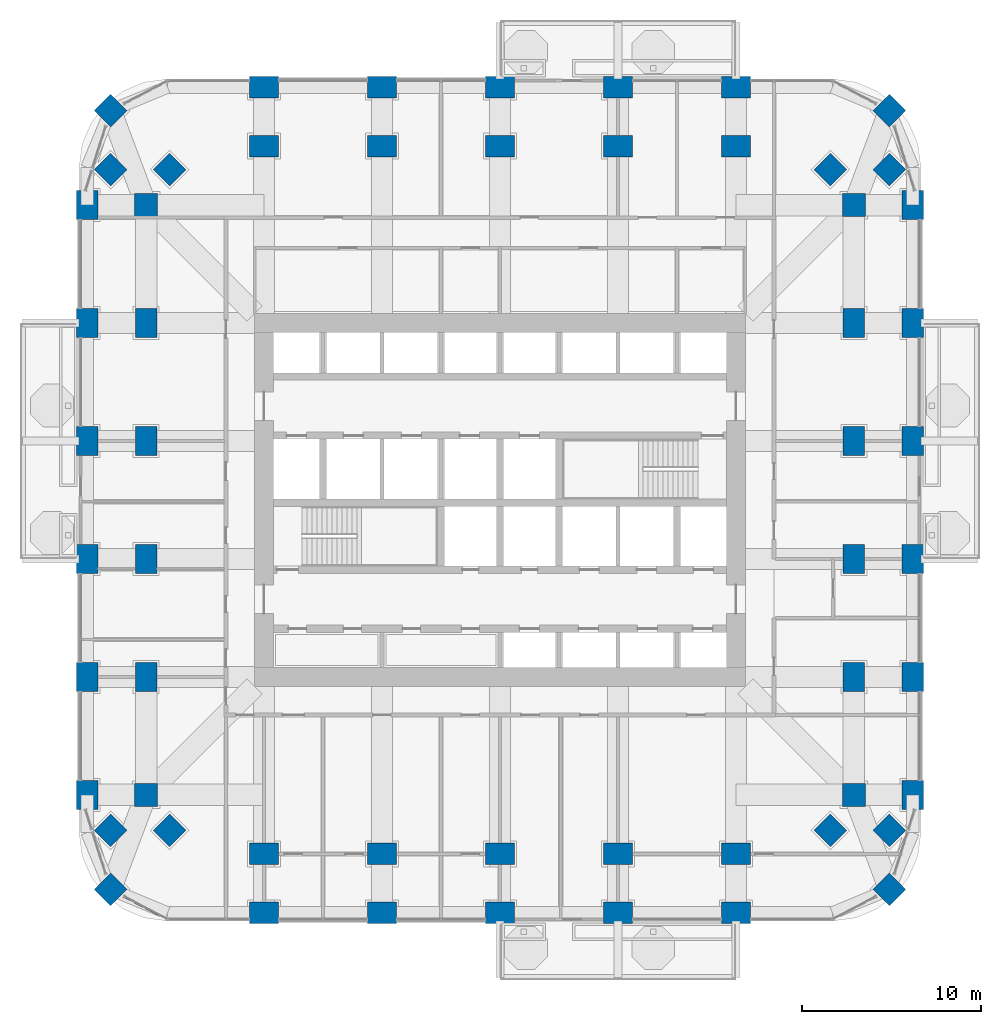
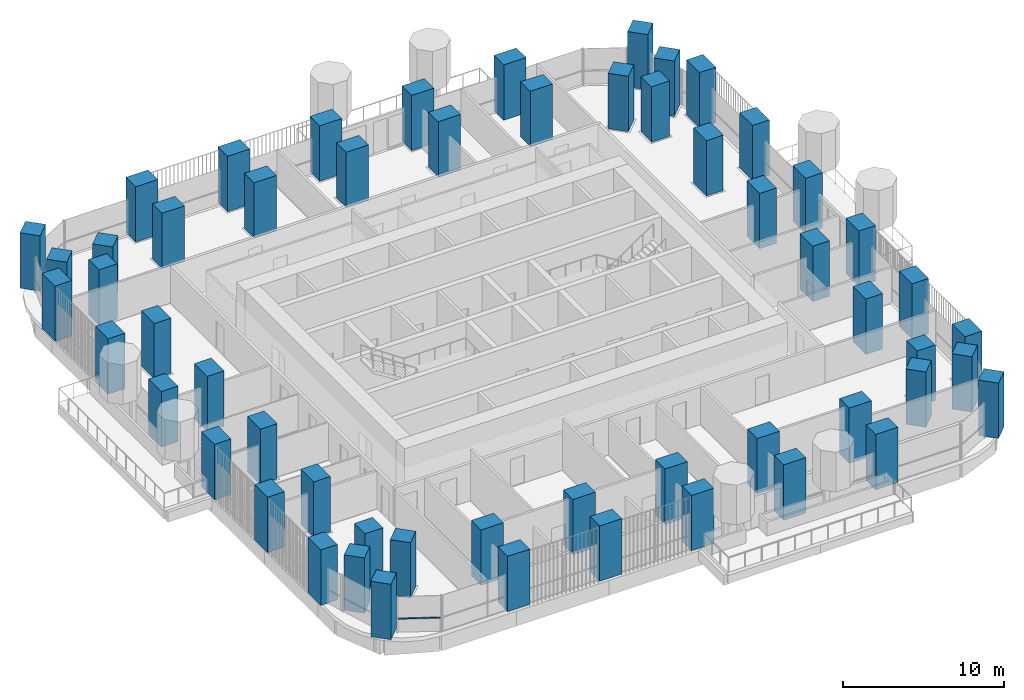
# One storey, part 1 of 22: 56 columns, 1 member, 1 element without a shape of its own.
"""IFC4 building model written with IfcOpenShell, lengths in metres."""

from ifc_helpers import new_model, si_unit, direction, frame, origin, origin_2d, place, context, subcontext, project, spatial, rectangle, extrude, material, material_profile, profile_set, type_object, element, aggregate, save


model = new_model("IFC4")

# Units and contexts
model_context = context("Model", 3, precision=1e-05, world=origin(), true_north=direction((0.0, 1.0)))
body_context = subcontext(model_context, "Body", "Model", "MODEL_VIEW")
ifc_project = project(units=[si_unit("LENGTHUNIT", "METRE"), si_unit("AREAUNIT", "SQUARE_METRE"), si_unit("VOLUMEUNIT", "CUBIC_METRE"), si_unit("PLANEANGLEUNIT", "RADIAN"), si_unit("MASSUNIT", "GRAM", prefix="KILO")], contexts=[model_context])

# Site, building, storey
site_placement = place(None, origin())
site = spatial("IfcSite", under=ifc_project, at=site_placement, CompositionType="ELEMENT")
building_placement = place(site_placement, origin())
building = spatial("IfcBuilding", under=site, at=building_placement, Name="Cobogo Forest Laboratory Tower", CompositionType="ELEMENT")
storey_placement = place(building_placement, frame((0.0, 0.0, 94.800048828125)))
storey = spatial("IfcBuildingStorey", under=building, at=storey_placement, Name="L21", CompositionType="ELEMENT", Elevation=94.800048828125)

# Columns
ifc_material_1 = material(Name="Concrete HA-50 (C50/60)", Category="concrete")
ifc_material_profile_1 = material_profile(ifc_material_1, rectangle(XDim=1.60009765625, YDim=1.199951171875, at=origin_2d()), Name="RC 1200x1600")
ifc_profile_set_1 = profile_set([ifc_material_profile_1], Name="Concrete HA-50 (C50/60)")
column_type_1 = type_object("IfcColumnType", Name="Blade column 1200x1600", PredefinedType="COLUMN", material=ifc_profile_set_1)
for number, where, z_axis, x_axis, name in (
    (1, (13.199951171875, 0.0, 0.0), (0.0, 0.0, 1.0), (1.0, 0.0, 0.0), "Column 3-A L21"),
    (2, (19.800048828125, 0.0, 0.0), (0.0, 0.0, 1.0), (1.0, 0.0, 0.0), "Column 4-A L21"),
    (3, (26.39990234375, 0.0, 0.0), (0.0, 0.0, 1.0), (1.0, 0.0, 0.0), "Column 5-A L21"),
    (4, (33.0, 0.0, 0.0), (0.0, 0.0, 1.0), (1.0, 0.0, 0.0), "Column 6-A L21"),
    (5, (39.60009765625, 0.0, 0.0), (0.0, 0.0, 1.0), (1.0, 0.0, 0.0), "Column 7-A L21"),
    (6, (3.300048828125, 6.60009765625, 0.0), (0.0, 0.0, 1.0), (0.0, 1.0, 0.0), "Column 1.1-B L21"),
    (7, (49.5, 6.60009765625, 0.0), (0.0, 0.0, 1.0), (0.0, 1.0, 0.0), "Column 8.1-B L21"),
    (8, (3.300048828125, 13.199951171875, 0.0), (0.0, 0.0, 1.0), (0.0, 1.0, 0.0), "Column 1.1-C L21"),
    (9, (49.5, 13.199951171875, 0.0), (0.0, 0.0, 1.0), (0.0, 1.0, 0.0), "Column 8.1-C L21"),
    (10, (3.300048828125, 19.800048828125, 0.0), (0.0, 0.0, 1.0), (0.0, 1.0, 0.0), "Column 1.1-D L21"),
    (11, (49.5, 19.800048828125, 0.0), (0.0, 0.0, 1.0), (0.0, 1.0, 0.0), "Column 8.1-D L21"),
    (12, (3.300048828125, 26.39990234375, 0.0), (0.0, 0.0, 1.0), (0.0, 1.0, 0.0), "Column 1.1-E L21"),
    (13, (49.5, 26.39990234375, 0.0), (0.0, 0.0, 1.0), (0.0, 1.0, 0.0), "Column 8.1-E L21"),
    (14, (3.300048828125, 33.0, 0.0), (0.0, 0.0, 1.0), (0.0, 1.0, 0.0), "Column 1.1-F L21"),
    (15, (49.5, 33.0, 0.0), (0.0, 0.0, 1.0), (0.0, 1.0, 0.0), "Column 8.1-F L21"),
    (16, (3.300048828125, 39.60009765625, 0.0), (0.0, 0.0, 1.0), (0.0, 1.0, 0.0), "Column 1.1-G L21"),
    (17, (49.5, 39.60009765625, 0.0), (0.0, 0.0, 1.0), (0.0, 1.0, 0.0), "Column 8.1-G L21"),
    (18, (13.199951171875, 46.199951171875, 0.0), (0.0, 0.0, 1.0), (1.0, 0.0, 0.0), "Column 3-H L21"),
    (19, (19.800048828125, 46.199951171875, 0.0), (0.0, 0.0, 1.0), (1.0, 0.0, 0.0), "Column 4-H L21"),
    (20, (26.39990234375, 46.199951171875, 0.0), (0.0, 0.0, 1.0), (1.0, 0.0, 0.0), "Column 5-H L21"),
    (21, (33.0, 46.199951171875, 0.0), (0.0, 0.0, 1.0), (1.0, 0.0, 0.0), "Column 6-H L21"),
    (22, (39.60009765625, 46.199951171875, 0.0), (0.0, 0.0, 1.0), (1.0, 0.0, 0.0), "Column 7-H L21"),
    (23, (13.199951171875, 3.300048828125, 0.0), (0.0, 0.0, 1.0), (1.0, 0.0, 0.0), "Column 3-A.1-C L21"),
    (24, (19.800048828125, 3.300048828125, 0.0), (0.0, 0.0, 1.0), (1.0, 0.0, 0.0), "Column 4-A.1-C L21"),
    (25, (26.39990234375, 3.300048828125, 0.0), (0.0, 0.0, 1.0), (1.0, 0.0, 0.0), "Column 5-A.1-C L21"),
    (26, (33.0, 3.300048828125, 0.0), (0.0, 0.0, 1.0), (1.0, 0.0, 0.0), "Column 6-A.1-C L21"),
    (27, (39.60009765625, 3.300048828125, 0.0), (0.0, 0.0, 1.0), (1.0, 0.0, 0.0), "Column 7-A.1-C L21"),
    (28, (13.199951171875, 42.89990234375, 0.0), (0.0, 0.0, 1.0), (1.0, 0.0, 0.0), "Column 3-G.1-C L21"),
    (29, (19.800048828125, 42.89990234375, 0.0), (0.0, 0.0, 1.0), (1.0, 0.0, 0.0), "Column 4-G.1-C L21"),
    (30, (26.39990234375, 42.89990234375, 0.0), (0.0, 0.0, 1.0), (1.0, 0.0, 0.0), "Column 5-G.1-C L21"),
    (31, (33.0, 42.89990234375, 0.0), (0.0, 0.0, 1.0), (1.0, 0.0, 0.0), "Column 6-G.1-C L21"),
    (32, (39.60009765625, 42.89990234375, 0.0), (0.0, 0.0, 1.0), (1.0, 0.0, 0.0), "Column 7-G.1-C L21"),
    (33, (6.60009765625, 13.199951171875, 0.0), (0.0, 0.0, 1.0), (0.0, 1.0, 0.0), "Column 2-C-D L21"),
    (34, (46.199951171875, 13.199951171875, 0.0), (0.0, 0.0, 1.0), (0.0, 1.0, 0.0), "Column 8-C-D L21"),
    (35, (6.60009765625, 19.800048828125, 0.0), (0.0, 0.0, 1.0), (0.0, 1.0, 0.0), "Column 2-D-D L21"),
    (36, (46.199951171875, 19.800048828125, 0.0), (0.0, 0.0, 1.0), (0.0, 1.0, 0.0), "Column 8-D-D L21"),
    (37, (6.60009765625, 26.39990234375, 0.0), (0.0, 0.0, 1.0), (0.0, 1.0, 0.0), "Column 2-E-D L21"),
    (38, (46.199951171875, 26.39990234375, 0.0), (0.0, 0.0, 1.0), (0.0, 1.0, 0.0), "Column 8-E-D L21"),
    (39, (6.60009765625, 33.0, 0.0), (0.0, 0.0, 1.0), (0.0, 1.0, 0.0), "Column 2-F-D L21"),
    (40, (46.199951171875, 33.0, 0.0), (0.0, 0.0, 1.0), (0.0, 1.0, 0.0), "Column 8-F-D L21"),
):
    element("IfcColumn", number, at=place(storey_placement, frame(where, z_axis=z_axis, x_axis=x_axis)), inside=storey, type_object=column_type_1, Name=name, PredefinedType="COLUMN", context=body_context, shape_type="SweptSolid", body=[
        extrude(rectangle(XDim=1.60009765625, YDim=1.199951171875, at=origin_2d()), origin(), (0.0, 0.0, 1.0), 4.199951171875),
    ])
ifc_material_profile_2 = material_profile(ifc_material_1, rectangle(XDim=1.300048828125, YDim=1.300048828125, at=origin_2d()), Name="RC 1300x1300")
ifc_profile_set_2 = profile_set([ifc_material_profile_2], Name="Concrete HA-50 (C50/60)")
column_type_2 = type_object("IfcColumnType", Name="Column 1300x1300", PredefinedType="COLUMN", material=ifc_profile_set_2)
for number, where, z_axis, x_axis, name in (
    (41, (4.617919921875, 1.318115234375, 0.0), (0.0, 0.0, 1.0), (0.707106781187, 0.707106781187, 0.0), "Column CNR-SW L21"),
    (42, (48.181884765625, 1.318115234375, 0.0), (0.0, 0.0, 1.0), (0.707106781187, 0.707106781187, 0.0), "Column CNR-SE L21"),
    (43, (4.617919921875, 44.882080078125, 0.0), (0.0, 0.0, 1.0), (0.707106781187, 0.707106781187, 0.0), "Column CNR-NW L21"),
    (44, (48.181884765625, 44.882080078125, 0.0), (0.0, 0.0, 1.0), (0.707106781187, 0.707106781187, 0.0), "Column CNR-NE L21"),
    (45, (6.60009765625, 6.60009765625, 0.0), (0.0, 0.0, 1.0), (1.0, 0.0, 0.0), "Column 2-B L21"),
    (46, (46.199951171875, 6.60009765625, 0.0), (0.0, 0.0, 1.0), (1.0, 0.0, 0.0), "Column 8-B L21"),
    (47, (6.60009765625, 39.60009765625, 0.0), (0.0, 0.0, 1.0), (1.0, 0.0, 0.0), "Column 2-G L21"),
    (48, (46.199951171875, 39.60009765625, 0.0), (0.0, 0.0, 1.0), (1.0, 0.0, 0.0), "Column 8-G L21"),
    (49, (4.617919921875, 4.617919921875, 0.0), (0.0, 0.0, 1.0), (0.707106781187, 0.707106781187, 0.0), "Column CNR-SW-C L21"),
    (50, (48.181884765625, 4.617919921875, 0.0), (0.0, 0.0, 1.0), (0.707106781187, 0.707106781187, 0.0), "Column CNR-SE-C L21"),
    (51, (4.617919921875, 41.58203125, 0.0), (0.0, 0.0, 1.0), (0.707106781187, 0.707106781187, 0.0), "Column CNR-NW-C L21"),
    (52, (48.181884765625, 41.58203125, 0.0), (0.0, 0.0, 1.0), (0.707106781187, 0.707106781187, 0.0), "Column CNR-NE-C L21"),
    (53, (7.91796875, 4.617919921875, 0.0), (0.0, 0.0, 1.0), (0.707106781187, 0.707106781187, 0.0), "Column CNR-SW-D L21"),
    (54, (44.882080078125, 4.617919921875, 0.0), (0.0, 0.0, 1.0), (0.707106781187, 0.707106781187, 0.0), "Column CNR-SE-D L21"),
    (55, (7.91796875, 41.58203125, 0.0), (0.0, 0.0, 1.0), (0.707106781187, 0.707106781187, 0.0), "Column CNR-NW-D L21"),
    (56, (44.882080078125, 41.58203125, 0.0), (0.0, 0.0, 1.0), (0.707106781187, 0.707106781187, 0.0), "Column CNR-NE-D L21"),
):
    element("IfcColumn", number, at=place(storey_placement, frame(where, z_axis=z_axis, x_axis=x_axis)), inside=storey, type_object=column_type_2, Name=name, PredefinedType="COLUMN", context=body_context, shape_type="SweptSolid", body=[
        extrude(rectangle(XDim=1.300048828125, YDim=1.300048828125, at=origin_2d()), origin(), (0.0, 0.0, 1.0), 4.199951171875),
    ])

# Curtain wall, member
ifc_material_2 = material(Name="Aluminium curtain wall", Category="aluminium")
curtain_wall_type = type_object("IfcCurtainWallType", Name="CW-1 unitised curtain wall, clear glazing, laboratory floors zones A and B", PredefinedType="USERDEFINED", material=ifc_material_2)
curtain_wall_placement = place(storey_placement, origin())
curtain_wall = element("IfcCurtainWall", 57, at=curtain_wall_placement, inside=storey, type_object=curtain_wall_type, Name="Curtain wall 34 L21", ObjectType="UNITISED CURTAIN WALL", PredefinedType="USERDEFINED")
ifc_material_3 = material(Name="Aluminium transom", Category="aluminium")
ifc_material_profile_3 = material_profile(ifc_material_3, rectangle(XDim=0.1201171875, YDim=0.06005859375, at=origin_2d()), Name="AL 60x120")
ifc_profile_set_3 = profile_set([ifc_material_profile_3], Name="Aluminium transom")
member_type = type_object("IfcMemberType", Name="TR-1 aluminium transom 60x120", PredefinedType="USERDEFINED", material=ifc_profile_set_3)
member_placement = place(storey_placement, frame((5.394775390625, 0.910888671875, 1.050048828125), z_axis=(0.885694740493, -0.464268054753, 0.0), x_axis=(0.464268054753, 0.885694740493, 0.0)))
member = element("IfcMember", 58, at=member_placement, type_object=member_type, Name="CW-1 transom 1.1", ObjectType="TRANSOM", PredefinedType="USERDEFINED", context=body_context, shape_type="SweptSolid", body=[
    extrude(rectangle(XDim=0.1201171875, YDim=0.06005859375, at=origin_2d()), origin(), (0.0, 0.0, 1.0), 2.655517578125),
])
aggregate(curtain_wall, [member])

save(model, "model.ifc")
